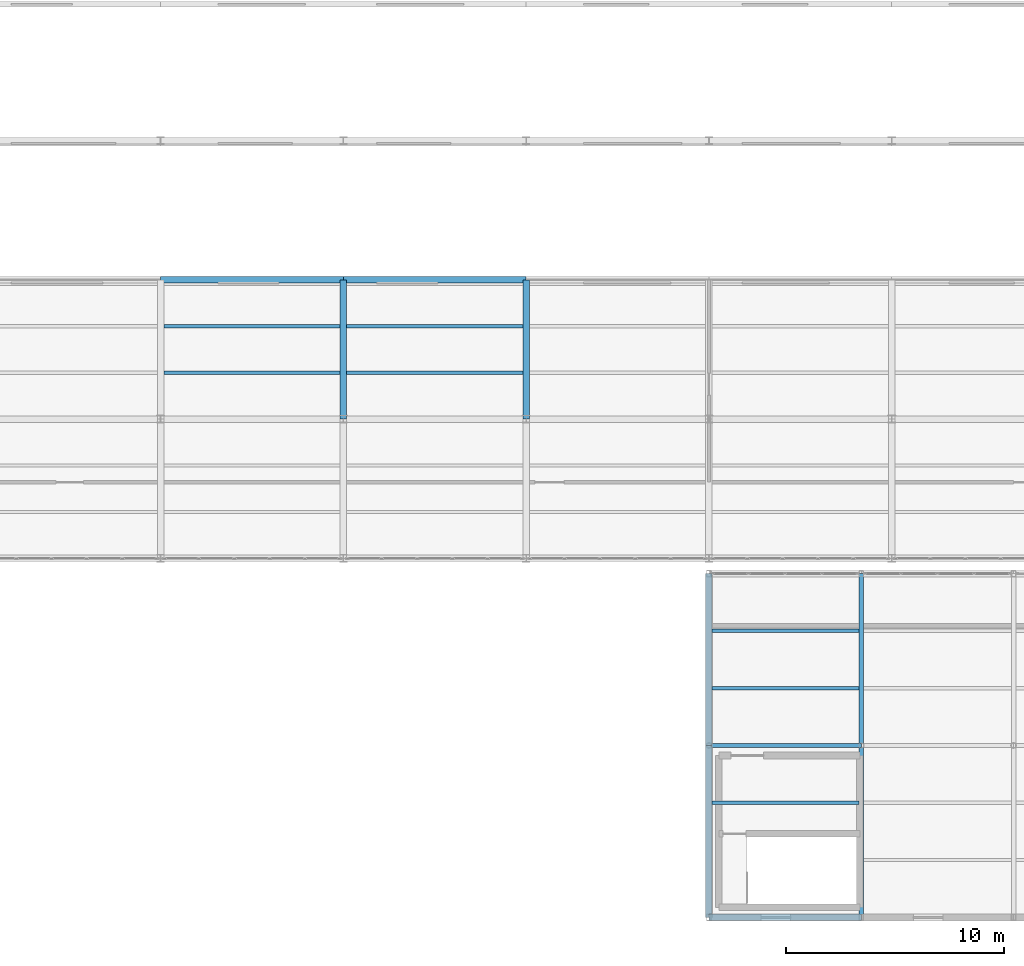
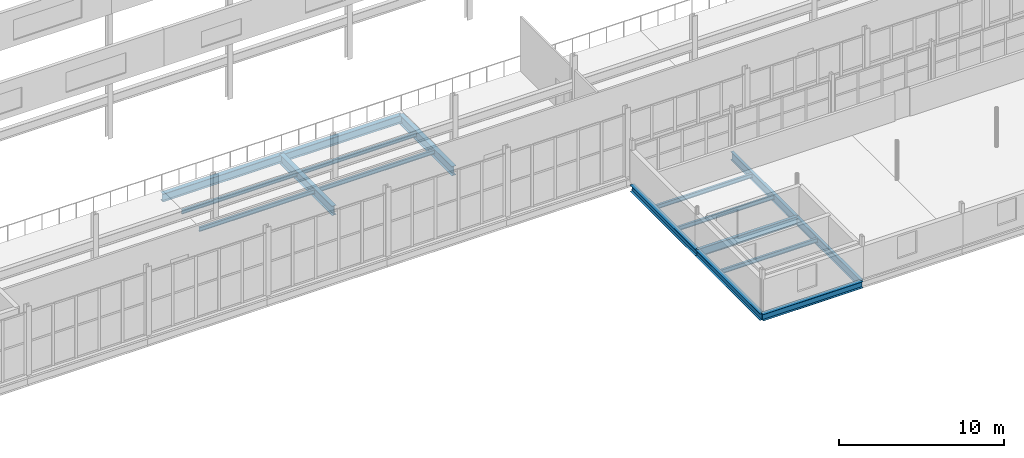
# One storey, part 67 of 218: 17 beams.
"""IFC4 building model written with IfcOpenShell, lengths in metres."""

from ifc_helpers import new_model, si_unit, direction, frame, origin, origin_2d, place, context, subcontext, project, spatial, i_section, extrude, material, material_profile, profile_set, type_object, element, save


model = new_model("IFC4")

# Units and contexts
model_context = context("Model", 3, precision=1e-05, world=origin(), true_north=direction((0.0, 1.0)))
body_context = subcontext(model_context, "Body", "Model", "MODEL_VIEW")
ifc_project = project(units=[si_unit("LENGTHUNIT", "METRE"), si_unit("AREAUNIT", "SQUARE_METRE"), si_unit("VOLUMEUNIT", "CUBIC_METRE"), si_unit("PLANEANGLEUNIT", "RADIAN"), si_unit("MASSUNIT", "GRAM", prefix="KILO")], contexts=[model_context])

# Site, building, storey
site_placement = place(None, origin())
site = spatial("IfcSite", under=ifc_project, at=site_placement, CompositionType="ELEMENT")
building_placement = place(site_placement, origin())
building = spatial("IfcBuilding", under=site, at=building_placement, Name="Kazenagashi Tramway Depot", CompositionType="ELEMENT")
storey_placement = place(building_placement, frame((0.0, 0.0, 6.0)))
storey = spatial("IfcBuildingStorey", under=building, at=storey_placement, Name="L02", CompositionType="ELEMENT", Elevation=6.0)

# Beams
ifc_material_1 = material(Name="Steel SN490B", Category="steel")
ifc_material_profile_1 = material_profile(ifc_material_1, i_section(OverallWidth=0.3, OverallDepth=0.7, WebThickness=0.013, FlangeThickness=0.024, at=origin_2d()), Name="H-700x300x13x24")
ifc_profile_set_1 = profile_set([ifc_material_profile_1], Name="Steel SN490B")
beam_type_1 = type_object("IfcBeamType", Name="G-02", PredefinedType="BEAM", material=ifc_profile_set_1)
for number, where, z_axis, x_axis, name in (
    (1, (86.8, 22.9, -0.6), (0.0, 1.0, 0.0), (-1.0, 0.0, 0.0), "Beam G-02 BM-1062"),
    (2, (95.2, 22.9, -0.6), (0.0, 1.0, 0.0), (-1.0, 0.0, 0.0), "Beam G-02 BM-1068"),
):
    element("IfcBeam", number, at=place(storey_placement, frame(where, z_axis=z_axis, x_axis=x_axis)), inside=storey, type_object=beam_type_1, Name=name, PredefinedType="BEAM", context=body_context, shape_type="SweptSolid", body=[
        extrude(i_section(OverallWidth=0.3, OverallDepth=0.7, WebThickness=0.013, FlangeThickness=0.024, at=origin_2d()), origin(), (0.0, 0.0, 1.0), 6.4),
    ])
ifc_material_profile_2 = material_profile(ifc_material_1, i_section(OverallWidth=0.2, OverallDepth=0.6, WebThickness=0.011, FlangeThickness=0.017, at=origin_2d()), Name="H-600x200x11x17")
ifc_profile_set_2 = profile_set([ifc_material_profile_2], Name="Steel SN490B")
beam_type_2 = type_object("IfcBeamType", Name="G-03", PredefinedType="BEAM", material=ifc_profile_set_2)
beam_1_placement = place(storey_placement, frame((103.6, 7.9, -0.525), z_axis=(1.0, 0.0, 0.0), x_axis=(0.0, 1.0, 0.0)))
element("IfcBeam", 3, at=beam_1_placement, inside=storey, type_object=beam_type_2, Name="Beam G-03 BM-1596", PredefinedType="BEAM", context=body_context, shape_type="SweptSolid", body=[
    extrude(i_section(OverallWidth=0.2, OverallDepth=0.6, WebThickness=0.011, FlangeThickness=0.017, at=origin_2d()), origin(), (0.0, 0.0, 1.0), 7.0),
])
for number, where, z_axis, x_axis, name in (
    (4, (110.6, 0.0, -0.525), (0.0, 1.0, 0.0), (-1.0, 0.0, 0.0), "Beam G-03 BM-1613"),
    (5, (110.6, 7.9, -0.525), (0.0, 1.0, 0.0), (-1.0, 0.0, 0.0), "Beam G-03 BM-1616"),
):
    element("IfcBeam", number, at=place(storey_placement, frame(where, z_axis=z_axis, x_axis=x_axis)), inside=storey, type_object=beam_type_2, Name=name, PredefinedType="BEAM", context=body_context, shape_type="SweptSolid", body=[
        extrude(i_section(OverallWidth=0.2, OverallDepth=0.6, WebThickness=0.011, FlangeThickness=0.017, at=origin_2d()), origin(), (0.0, 0.0, 1.0), 7.9),
    ])
ifc_material_2 = material(Name="Steel SN400B", Category="steel")
ifc_material_profile_3 = material_profile(ifc_material_2, i_section(OverallWidth=0.15, OverallDepth=0.3, WebThickness=0.0065, FlangeThickness=0.009, at=origin_2d()), Name="H-300x150x6.5x9")
ifc_profile_set_3 = profile_set([ifc_material_profile_3], Name="Steel SN400B")
beam_type_3 = type_object("IfcBeamType", Name="J-02", PredefinedType="JOIST", material=ifc_profile_set_3)
for number, where, z_axis, x_axis, name in (
    (6, (78.55, 25.033, -0.4), (1.0, 0.0, 0.0), (0.0, 1.0, 0.0), "Beam J-02 BM-1057"),
    (7, (78.55, 27.167, -0.4), (1.0, 0.0, 0.0), (0.0, 1.0, 0.0), "Beam J-02 BM-1058"),
    (8, (86.95, 25.033, -0.4), (1.0, 0.0, 0.0), (0.0, 1.0, 0.0), "Beam J-02 BM-1063"),
    (9, (86.95, 27.167, -0.4), (1.0, 0.0, 0.0), (0.0, 1.0, 0.0), "Beam J-02 BM-1064"),
):
    element("IfcBeam", number, at=place(storey_placement, frame(where, z_axis=z_axis, x_axis=x_axis)), inside=storey, type_object=beam_type_3, Name=name, PredefinedType="JOIST", context=body_context, shape_type="SweptSolid", body=[
        extrude(i_section(OverallWidth=0.15, OverallDepth=0.3, WebThickness=0.0065, FlangeThickness=0.009, at=origin_2d()), origin(), (0.0, 0.0, 1.0), 8.1),
    ])
for number, where, z_axis, x_axis, name in (
    (10, (103.75, 5.267, -0.375), (1.0, 0.0, 0.0), (0.0, 1.0, 0.0), "Beam J-02 BM-1609"),
    (11, (103.75, 10.533, -0.375), (1.0, 0.0, 0.0), (0.0, 1.0, 0.0), "Beam J-02 BM-1611"),
    (12, (103.75, 13.167, -0.375), (1.0, 0.0, 0.0), (0.0, 1.0, 0.0), "Beam J-02 BM-1612"),
):
    element("IfcBeam", number, at=place(storey_placement, frame(where, z_axis=z_axis, x_axis=x_axis)), inside=storey, type_object=beam_type_3, Name=name, PredefinedType="JOIST", context=body_context, shape_type="SweptSolid", body=[
        extrude(i_section(OverallWidth=0.15, OverallDepth=0.3, WebThickness=0.0065, FlangeThickness=0.009, at=origin_2d()), origin(), (0.0, 0.0, 1.0), 6.75),
    ])
ifc_material_profile_4 = material_profile(ifc_material_1, i_section(OverallWidth=0.3, OverallDepth=0.588, WebThickness=0.012, FlangeThickness=0.02, at=origin_2d()), Name="H-588x300x12x20")
ifc_profile_set_4 = profile_set([ifc_material_profile_4], Name="Steel SN490B")
beam_type_4 = type_object("IfcBeamType", Name="SP-01", PredefinedType="SPANDREL", material=ifc_profile_set_4)
for number, where, z_axis, x_axis, name in (
    (13, (78.4, 29.3, -0.544), (1.0, 0.0, 0.0), (0.0, 1.0, 0.0), "Beam SP-01 BM-1022"),
    (14, (86.8, 29.3, -0.544), (1.0, 0.0, 0.0), (0.0, 1.0, 0.0), "Beam SP-01 BM-1023"),
):
    element("IfcBeam", number, at=place(storey_placement, frame(where, z_axis=z_axis, x_axis=x_axis)), inside=storey, type_object=beam_type_4, Name=name, PredefinedType="SPANDREL", context=body_context, shape_type="SweptSolid", body=[
        extrude(i_section(OverallWidth=0.3, OverallDepth=0.588, WebThickness=0.012, FlangeThickness=0.02, at=origin_2d()), origin(), (0.0, 0.0, 1.0), 8.4),
    ])
ifc_material_profile_5 = material_profile(ifc_material_1, i_section(OverallWidth=0.3, OverallDepth=0.488, WebThickness=0.011, FlangeThickness=0.018, at=origin_2d()), Name="H-488x300x11x18")
ifc_profile_set_5 = profile_set([ifc_material_profile_5], Name="Steel SN490B")
beam_type_5 = type_object("IfcBeamType", Name="SP-02", PredefinedType="SPANDREL", material=ifc_profile_set_5)
beam_2_placement = place(storey_placement, frame((103.6, 0.0, -0.469), z_axis=(1.0, 0.0, 0.0), x_axis=(0.0, 1.0, 0.0)))
element("IfcBeam", 15, at=beam_2_placement, inside=storey, type_object=beam_type_5, Name="Beam SP-02 BM-1590", PredefinedType="SPANDREL", context=body_context, shape_type="SweptSolid", body=[
    extrude(i_section(OverallWidth=0.3, OverallDepth=0.488, WebThickness=0.011, FlangeThickness=0.018, at=origin_2d()), origin(), (0.0, 0.0, 1.0), 7.0),
])
for number, where, z_axis, x_axis, name in (
    (16, (103.6, 0.0, -0.469), (0.0, 1.0, 0.0), (-1.0, 0.0, 0.0), "Beam SP-02 BM-1608"),
    (17, (103.6, 7.9, -0.469), (0.0, 1.0, 0.0), (-1.0, 0.0, 0.0), "Beam SP-02 BM-1610"),
):
    element("IfcBeam", number, at=place(storey_placement, frame(where, z_axis=z_axis, x_axis=x_axis)), inside=storey, type_object=beam_type_5, Name=name, PredefinedType="SPANDREL", context=body_context, shape_type="SweptSolid", body=[
        extrude(i_section(OverallWidth=0.3, OverallDepth=0.488, WebThickness=0.011, FlangeThickness=0.018, at=origin_2d()), origin(), (0.0, 0.0, 1.0), 7.9),
    ])

save(model, "model.ifc")
